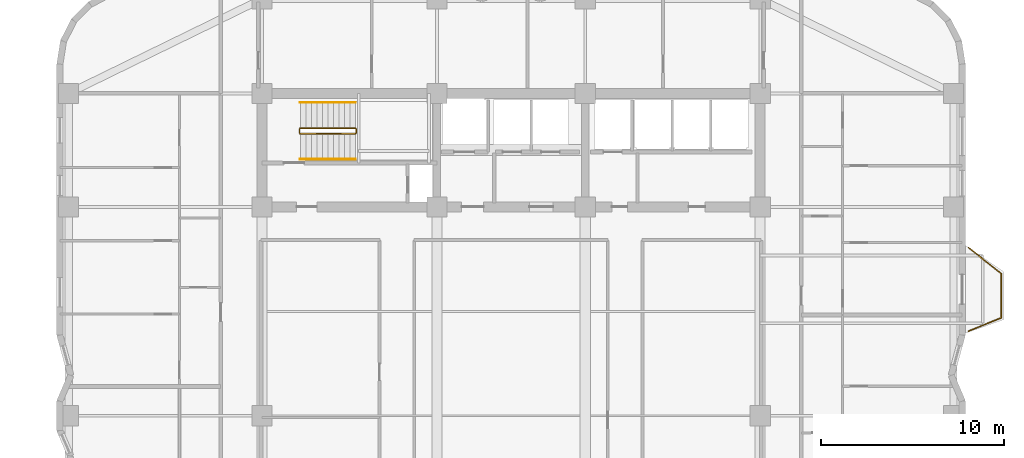
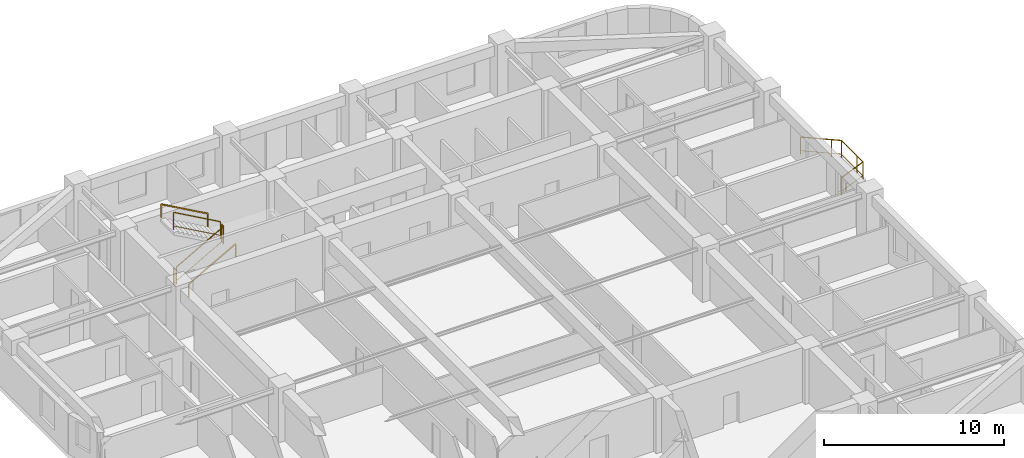
# One storey, part 9 of 9: 7 railings.
"""IFC4 building model written with IfcOpenShell, lengths in metres."""

from ifc_helpers import new_model, si_unit, direction, frame, origin, origin_2d, place, context, subcontext, project, spatial, rectangle, extrude, material, type_object, element, save


model = new_model("IFC4")

# Units and contexts
model_context = context("Model", 3, precision=1e-05, world=origin(), true_north=direction((0.0, 1.0)))
body_context = subcontext(model_context, "Body", "Model", "MODEL_VIEW")
ifc_project = project(units=[si_unit("LENGTHUNIT", "METRE"), si_unit("AREAUNIT", "SQUARE_METRE"), si_unit("VOLUMEUNIT", "CUBIC_METRE"), si_unit("PLANEANGLEUNIT", "RADIAN"), si_unit("MASSUNIT", "GRAM", prefix="KILO")], contexts=[model_context])

# Site, building, storey
site_placement = place(None, origin())
site = spatial("IfcSite", under=ifc_project, at=site_placement, CompositionType="ELEMENT")
building_placement = place(site_placement, origin())
building = spatial("IfcBuilding", under=site, at=building_placement, Name="Svetorya Sky Lyceum", CompositionType="ELEMENT")
storey_placement = place(building_placement, frame((0.0, 0.0, 92.0)))
storey = spatial("IfcBuildingStorey", under=building, at=storey_placement, Name="L22", CompositionType="ELEMENT", Elevation=92.0)

# Railings
ifc_material_1 = material(Name="Laminated safety glass and stainless AISI 316", Category="glass")
railing_type_1 = type_object("IfcRailingType", Name="RL-BAL-1200", PredefinedType="BALUSTRADE", material=ifc_material_1)
railing_1_placement = place(storey_placement, frame((64.169921875, 37.3798828125, 0.0)))
element("IfcRailing", 1, at=railing_1_placement, inside=storey, type_object=railing_type_1, Name="L22 Balcony Balustrade BAL-E1", PredefinedType="BALUSTRADE", context=body_context, shape_type="SweptSolid", body=[
    extrude(rectangle(XDim=0.048095703125, YDim=0.048095703125, at=origin_2d()), frame((0.0, 0.0, 1.17578125), z_axis=(0.783008919264, -0.622010476079, 0.0), x_axis=(0.622010476079, 0.783008919264, 0.0)), (0.0, 0.0, 1.0), 2.298828125),
    extrude(rectangle(XDim=0.02392578125, YDim=0.02392578125, at=origin_2d()), frame((0.0, 0.0, 0.25), z_axis=(0.783008919264, -0.622010476079, 0.0), x_axis=(0.622010476079, 0.783008919264, 0.0)), (0.0, 0.0, 1.0), 2.298828125),
    extrude(rectangle(XDim=0.048095703125, YDim=0.048095703125, at=origin_2d()), frame((1.800048828125, -1.429931640625, 1.17578125), z_axis=(0.0, -1.0, 0.0), x_axis=(1.0, 0.0, 0.0)), (0.0, 0.0, 1.0), 2.39990234375),
    extrude(rectangle(XDim=0.02392578125, YDim=0.02392578125, at=origin_2d()), frame((1.800048828125, -1.429931640625, 0.25), z_axis=(0.0, -1.0, 0.0), x_axis=(1.0, 0.0, 0.0)), (0.0, 0.0, 1.0), 2.39990234375),
    extrude(rectangle(XDim=0.048095703125, YDim=0.048095703125, at=origin_2d()), frame((1.800048828125, -3.829833984375, 1.17578125), z_axis=(-0.926697865975, -0.375807218129, 0.0), x_axis=(0.375807218129, -0.926697865975, 0.0)), (0.0, 0.0, 1.0), 1.9423828125),
    extrude(rectangle(XDim=0.02392578125, YDim=0.02392578125, at=origin_2d()), frame((1.800048828125, -3.829833984375, 0.25), z_axis=(-0.926697865975, -0.375807218129, 0.0), x_axis=(0.375807218129, -0.926697865975, 0.0)), (0.0, 0.0, 1.0), 1.9423828125),
    extrude(rectangle(XDim=0.0419921875, YDim=0.0419921875, at=origin_2d()), origin(), (0.0, 0.0, 1.0), 1.15185546875),
    extrude(rectangle(XDim=0.0419921875, YDim=0.0419921875, at=origin_2d()), frame((1.370361328125, -1.088623046875, 0.0)), (0.0, 0.0, 1.0), 1.15185546875),
    extrude(rectangle(XDim=0.0419921875, YDim=0.0419921875, at=origin_2d()), frame((1.800048828125, -1.429931640625, 0.0)), (0.0, 0.0, 1.0), 1.15185546875),
    extrude(rectangle(XDim=0.0419921875, YDim=0.0419921875, at=origin_2d()), frame((1.800048828125, -3.179931640625, 0.0)), (0.0, 0.0, 1.0), 1.15185546875),
    extrude(rectangle(XDim=0.0419921875, YDim=0.0419921875, at=origin_2d()), frame((1.800048828125, -3.829833984375, 0.0)), (0.0, 0.0, 1.0), 1.15185546875),
    extrude(rectangle(XDim=0.0419921875, YDim=0.0419921875, at=origin_2d()), frame((0.0, -4.559814453125, 0.0)), (0.0, 0.0, 1.0), 1.15185546875),
])
ifc_material_2 = material(Name="Painted galvanized stair well guard")
railing_type_2 = type_object("IfcRailingType", Name="RL-STR-GUARD-1200", PredefinedType="GUARDRAIL", material=ifc_material_2)
railing_2_placement = place(storey_placement, frame((27.699951171875, 43.60009765625, 0.168212890625)))
element("IfcRailing", 2, at=railing_2_placement, inside=storey, type_object=railing_type_2, Name="L22 ST-N stair guard 1", PredefinedType="GUARDRAIL", context=body_context, shape_type="SweptSolid", body=[
    extrude(rectangle(XDim=0.048095703125, YDim=0.048095703125, at=origin_2d()), frame((0.0, 0.0, 1.17578125), z_axis=(0.872272294576, 0.0, 0.489020494575), x_axis=(0.0, 1.0, 0.0)), (0.0, 0.0, 1.0), 3.439208984375),
    extrude(rectangle(XDim=0.02392578125, YDim=0.02392578125, at=origin_2d()), frame((0.0, 0.0, 0.25), z_axis=(0.872272294576, 0.0, 0.489020494575), x_axis=(0.0, 1.0, 0.0)), (0.0, 0.0, 1.0), 3.439208984375),
    extrude(rectangle(XDim=0.0419921875, YDim=0.0419921875, at=origin_2d()), origin(), (0.0, 0.0, 1.0), 1.15185546875),
    extrude(rectangle(XDim=0.0419921875, YDim=0.0419921875, at=origin_2d()), frame((3.0, 0.0, 1.681884765625)), (0.0, 0.0, 1.0), 1.15185546875),
])
railing_3_placement = place(storey_placement, frame((30.75, 43.64990234375, 1.85009765625)))
element("IfcRailing", 3, at=railing_3_placement, inside=storey, type_object=railing_type_2, Name="L22 ST-N stair guard 2", PredefinedType="GUARDRAIL", context=body_context, shape_type="SweptSolid", body=[
    extrude(rectangle(XDim=0.048095703125, YDim=0.048095703125, at=origin_2d()), frame((0.0, 0.0, 1.17578125), z_axis=(0.0, 1.0, 0.0), x_axis=(-1.0, 0.0, 0.0)), (0.0, 0.0, 1.0), 0.2001953125),
    extrude(rectangle(XDim=0.02392578125, YDim=0.02392578125, at=origin_2d()), frame((0.0, 0.0, 0.25), z_axis=(0.0, 1.0, 0.0), x_axis=(-1.0, 0.0, 0.0)), (0.0, 0.0, 1.0), 0.2001953125),
    extrude(rectangle(XDim=0.0419921875, YDim=0.0419921875, at=origin_2d()), origin(), (0.0, 0.0, 1.0), 1.15185546875),
    extrude(rectangle(XDim=0.0419921875, YDim=0.0419921875, at=origin_2d()), frame((0.0, 0.2001953125, 0.0)), (0.0, 0.0, 1.0), 1.15185546875),
])
railing_4_placement = place(storey_placement, frame((30.699951171875, 43.89990234375, 2.01806640625)))
element("IfcRailing", 4, at=railing_4_placement, inside=storey, type_object=railing_type_2, Name="L22 ST-N stair guard 3", PredefinedType="GUARDRAIL", context=body_context, shape_type="SweptSolid", body=[
    extrude(rectangle(XDim=0.048095703125, YDim=0.048095703125, at=origin_2d()), frame((0.0, 0.0, 1.17578125), z_axis=(-0.872272294576, 0.0, 0.489020494575), x_axis=(0.0, -1.0, 0.0)), (0.0, 0.0, 1.0), 3.439208984375),
    extrude(rectangle(XDim=0.02392578125, YDim=0.02392578125, at=origin_2d()), frame((0.0, 0.0, 0.25), z_axis=(-0.872272294576, 0.0, 0.489020494575), x_axis=(0.0, -1.0, 0.0)), (0.0, 0.0, 1.0), 3.439208984375),
    extrude(rectangle(XDim=0.0419921875, YDim=0.0419921875, at=origin_2d()), origin(), (0.0, 0.0, 1.0), 1.15185546875),
    extrude(rectangle(XDim=0.0419921875, YDim=0.0419921875, at=origin_2d()), frame((-3.0, 0.0, 1.681884765625)), (0.0, 0.0, 1.0), 1.15185546875),
])
railing_5_placement = place(storey_placement, frame((27.64990234375, 43.64990234375, 0.0)))
element("IfcRailing", 5, at=railing_5_placement, inside=storey, type_object=railing_type_2, Name="L22 ST-N stair guard 4", PredefinedType="GUARDRAIL", context=body_context, shape_type="SweptSolid", body=[
    extrude(rectangle(XDim=0.048095703125, YDim=0.048095703125, at=origin_2d()), frame((0.0, 0.0, 1.17578125), z_axis=(0.0, 1.0, 0.0), x_axis=(-1.0, 0.0, 0.0)), (0.0, 0.0, 1.0), 0.2001953125),
    extrude(rectangle(XDim=0.02392578125, YDim=0.02392578125, at=origin_2d()), frame((0.0, 0.0, 0.25), z_axis=(0.0, 1.0, 0.0), x_axis=(-1.0, 0.0, 0.0)), (0.0, 0.0, 1.0), 0.2001953125),
    extrude(rectangle(XDim=0.0419921875, YDim=0.0419921875, at=origin_2d()), origin(), (0.0, 0.0, 1.0), 1.15185546875),
    extrude(rectangle(XDim=0.0419921875, YDim=0.0419921875, at=origin_2d()), frame((0.0, 0.2001953125, 0.0)), (0.0, 0.0, 1.0), 1.15185546875),
])
ifc_material_3 = material(Name="Brushed stainless AISI 304 stair handrail")
railing_type_3 = type_object("IfcRailingType", Name="RL-STR-HAND-920", PredefinedType="HANDRAIL", material=ifc_material_3)
railing_6_placement = place(storey_placement, frame((27.699951171875, 42.199951171875, 0.168212890625)))
element("IfcRailing", 6, at=railing_6_placement, inside=storey, type_object=railing_type_3, Name="L22 ST-N stair handrail 1", PredefinedType="HANDRAIL", context=body_context, shape_type="SweptSolid", body=[
    extrude(rectangle(XDim=0.048095703125, YDim=0.048095703125, at=origin_2d()), frame((0.0, 0.0, 0.8759765625), z_axis=(0.872272294576, 0.0, 0.489020494575), x_axis=(0.0, 1.0, 0.0)), (0.0, 0.0, 1.0), 3.439208984375),
    extrude(rectangle(XDim=0.0419921875, YDim=0.0419921875, at=origin_2d()), origin(), (0.0, 0.0, 1.0), 0.851806640625),
    extrude(rectangle(XDim=0.0419921875, YDim=0.0419921875, at=origin_2d()), frame((3.0, 0.0, 1.681884765625)), (0.0, 0.0, 1.0), 0.851806640625),
])
railing_7_placement = place(storey_placement, frame((30.699951171875, 45.300048828125, 2.01806640625)))
element("IfcRailing", 7, at=railing_7_placement, inside=storey, type_object=railing_type_3, Name="L22 ST-N stair handrail 2", PredefinedType="HANDRAIL", context=body_context, shape_type="SweptSolid", body=[
    extrude(rectangle(XDim=0.048095703125, YDim=0.048095703125, at=origin_2d()), frame((0.0, 0.0, 0.8759765625), z_axis=(-0.872272294576, 0.0, 0.489020494575), x_axis=(0.0, -1.0, 0.0)), (0.0, 0.0, 1.0), 3.439208984375),
    extrude(rectangle(XDim=0.0419921875, YDim=0.0419921875, at=origin_2d()), origin(), (0.0, 0.0, 1.0), 0.851806640625),
    extrude(rectangle(XDim=0.0419921875, YDim=0.0419921875, at=origin_2d()), frame((-3.0, 0.0, 1.681884765625)), (0.0, 0.0, 1.0), 0.851806640625),
])

save(model, "model.ifc")
